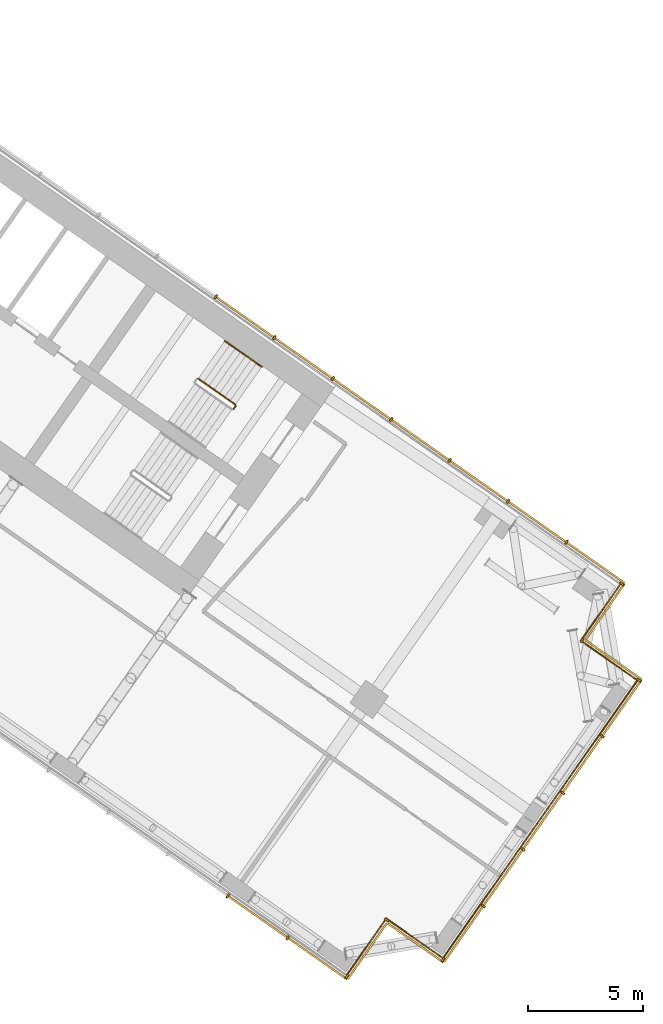
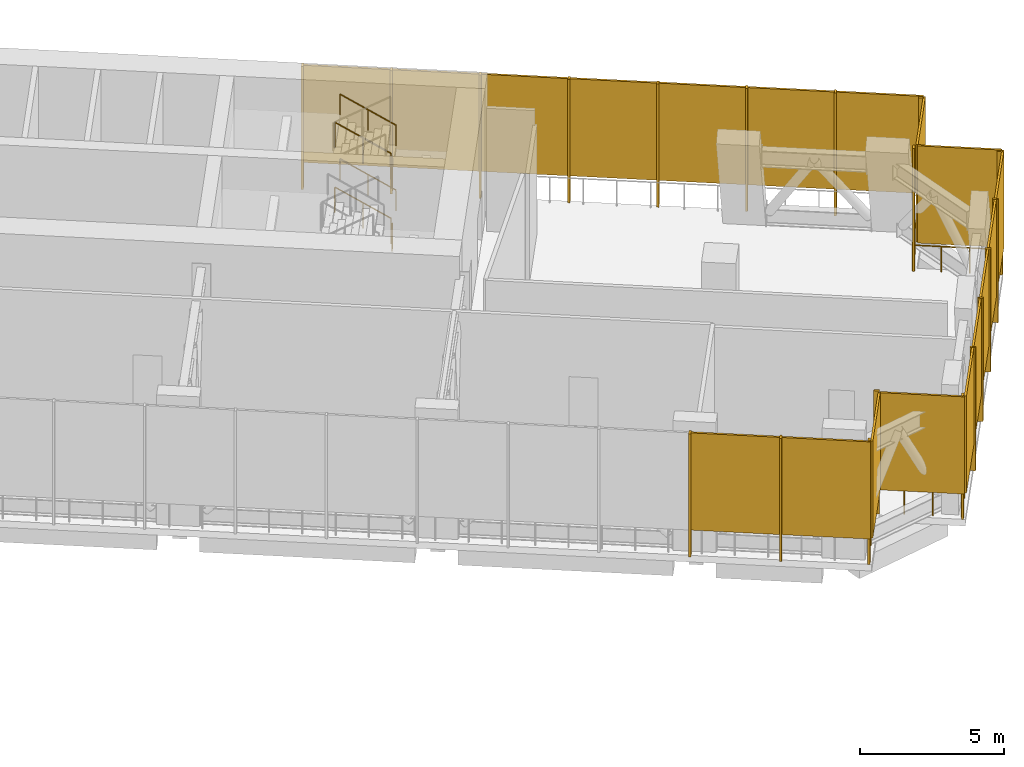
# One storey, part 24 of 24: 37 shading devices, 11 railings.
"""IFC4 building model written with IfcOpenShell, lengths in metres."""

from ifc_helpers import new_model, si_unit, direction, frame, origin, origin_2d, place, context, subcontext, project, spatial, rectangle, circle, extrude, material, layer, layer_set, type_object, element, save


model = new_model("IFC4")

# Units and contexts
model_context = context("Model", 3, precision=1e-05, world=origin(), true_north=direction((0.0, 1.0)))
body_context = subcontext(model_context, "Body", "Model", "MODEL_VIEW")
ifc_project = project(units=[si_unit("LENGTHUNIT", "METRE"), si_unit("AREAUNIT", "SQUARE_METRE"), si_unit("VOLUMEUNIT", "CUBIC_METRE"), si_unit("PLANEANGLEUNIT", "RADIAN"), si_unit("MASSUNIT", "GRAM", prefix="KILO")], contexts=[model_context])

# Site, building, storey
site_placement = place(None, origin())
site = spatial("IfcSite", under=ifc_project, at=site_placement, CompositionType="ELEMENT")
building_placement = place(site_placement, origin())
building = spatial("IfcBuilding", under=site, at=building_placement, Name="Tel Ilan Convention Tower", CompositionType="ELEMENT")
storey_placement = place(building_placement, frame((0.0, 0.0, 126.5)))
storey = spatial("IfcBuildingStorey", under=building, at=storey_placement, Name="L28", CompositionType="ELEMENT", Elevation=126.5)

# Shading devices
ifc_material_1 = material(Name="Perforated aluminium sheet, bronze anodised", Category="aluminium")
ifc_layer_1 = layer(ifc_material_1, 0.080078125)
ifc_layer_set_1 = layer_set([ifc_layer_1], Name="PERFORATED SCREEN 80")
shading_device_type_1 = type_object("IfcShadingDeviceType", Name="PERFORATED SCREEN 80", PredefinedType="USERDEFINED", material=ifc_layer_set_1)
for number, where, z_axis, x_axis, name in (
    (1, (24.653076171875, -30.080322265625, 1.099853515625), (0.0, 0.0, 1.0), (0.819152044289, -0.573576436351, 0.0), "SCREEN"),
    (2, (27.248046875, -31.8974609375, 1.099853515625), (0.0, 0.0, 1.0), (0.819152044289, -0.573576436351, 0.0), "SCREEN"),
):
    element("IfcShadingDevice", number, at=place(storey_placement, frame(where, z_axis=z_axis, x_axis=x_axis)), inside=storey, type_object=shading_device_type_1, Name=name, ObjectType="SCREEN", PredefinedType="USERDEFINED", context=body_context, shape_type="SweptSolid", body=[
        extrude(rectangle(XDim=3.10791015625, YDim=0.080078125, at=origin_2d()), origin(), (0.0, 0.0, 1.0), 4.1201171875),
    ])
for number, where, z_axis, x_axis, name in (
    (3, (29.406005859375, -31.577392578125, 1.099853515625), (0.0, 0.0, 1.0), (0.573576436351, 0.819152044289, 0.0), "SCREEN"),
    (4, (31.4951171875, -31.208984375, 1.099853515625), (0.0, 0.0, 1.0), (0.819152044289, -0.573576436351, 0.0), "SCREEN"),
    (5, (33.584228515625, -30.840576171875, 1.099853515625), (0.0, 0.0, 1.0), (0.573576436351, 0.819152044289, 0.0), "SCREEN"),
    (6, (35.304931640625, -28.383056640625, 1.099853515625), (0.0, 0.0, 1.0), (0.573576436351, 0.819152044289, 0.0), "SCREEN"),
    (7, (37.025634765625, -25.925537109375, 1.099853515625), (0.0, 0.0, 1.0), (0.573576436351, 0.819152044289, 0.0), "SCREEN"),
    (8, (38.746337890625, -23.46826171875, 1.099853515625), (0.0, 0.0, 1.0), (0.573576436351, 0.819152044289, 0.0), "SCREEN"),
    (9, (40.467041015625, -21.0107421875, 1.099853515625), (0.0, 0.0, 1.0), (0.573576436351, 0.819152044289, 0.0), "SCREEN"),
    (10, (40.098876953125, -18.921630859375, 1.099853515625), (0.0, 0.0, 1.0), (-0.819152044289, 0.573576436351, 0.0), "SCREEN"),
    (11, (39.73046875, -16.83251953125, 1.099853515625), (0.0, 0.0, 1.0), (0.573576436351, 0.819152044289, 0.0), "SCREEN"),
):
    element("IfcShadingDevice", number, at=place(storey_placement, frame(where, z_axis=z_axis, x_axis=x_axis)), inside=storey, type_object=shading_device_type_1, Name=name, ObjectType="SCREEN", PredefinedType="USERDEFINED", context=body_context, shape_type="SweptSolid", body=[
        extrude(rectangle(XDim=2.93994140625, YDim=0.080078125, at=origin_2d()), origin(), (0.0, 0.0, 1.0), 4.1201171875),
    ])
for number, where, z_axis, x_axis, name in (
    (12, (39.322265625, -14.715576171875, 1.099853515625), (0.0, 0.0, 1.0), (-0.819152044289, 0.573576436351, 0.0), "SCREEN"),
    (13, (36.785400390625, -12.939208984375, 1.099853515625), (0.0, 0.0, 1.0), (-0.819152044289, 0.573576436351, 0.0), "SCREEN"),
    (14, (34.24853515625, -11.162841796875, 1.099853515625), (0.0, 0.0, 1.0), (-0.819152044289, 0.573576436351, 0.0), "SCREEN"),
    (15, (31.71142578125, -9.386474609375, 1.099853515625), (0.0, 0.0, 1.0), (-0.819152044289, 0.573576436351, 0.0), "SCREEN"),
    (16, (29.174560546875, -7.610107421875, 1.099853515625), (0.0, 0.0, 1.0), (-0.819152044289, 0.573576436351, 0.0), "SCREEN"),
    (17, (26.6376953125, -5.833740234375, 1.099853515625), (0.0, 0.0, 1.0), (-0.819152044289, 0.573576436351, 0.0), "SCREEN"),
    (18, (24.100830078125, -4.057373046875, 1.099853515625), (0.0, 0.0, 1.0), (-0.819152044289, 0.573576436351, 0.0), "SCREEN"),
):
    element("IfcShadingDevice", number, at=place(storey_placement, frame(where, z_axis=z_axis, x_axis=x_axis)), inside=storey, type_object=shading_device_type_1, Name=name, ObjectType="SCREEN", PredefinedType="USERDEFINED", context=body_context, shape_type="SweptSolid", body=[
        extrude(rectangle(XDim=3.037109375, YDim=0.080078125, at=origin_2d()), origin(), (0.0, 0.0, 1.0), 4.1201171875),
    ])

# Railings
ifc_material_2 = material(Name="Stainless steel S316", Category="steel")
railing_type_1 = type_object("IfcRailingType", Name="REFUGE EDGE GUARD 1100", PredefinedType="GUARDRAIL", material=ifc_material_2)
railing_1_placement = place(storey_placement, frame((40.395751953125, -15.63818359375, 0.0)))
element("IfcRailing", 19, at=railing_1_placement, inside=storey, type_object=railing_type_1, Name="Refuge edge guard 22.R08", PredefinedType="GUARDRAIL", context=body_context, shape_type="SweptSolid", body=[
    extrude(circle(Radius=0.02490234375, at=origin_2d()), frame((0.0, 0.0, 1.0751953125), z_axis=(-0.573560650686, -0.819163097304, 0.0), x_axis=(0.819163097304, -0.573560650686, 0.0)), (0.0, 0.0, 1.0), 3.0),
    extrude(circle(Radius=0.02490234375, at=origin_2d()), origin(), (0.0, 0.0, 1.0), 1.050048828125),
    extrude(circle(Radius=0.02490234375, at=origin_2d()), frame((-0.573486328125, -0.819091796875, 0.0)), (0.0, 0.0, 1.0), 1.050048828125),
    extrude(circle(Radius=0.02490234375, at=origin_2d()), frame((-1.147216796875, -1.638427734375, 0.0)), (0.0, 0.0, 1.0), 1.050048828125),
    extrude(circle(Radius=0.02490234375, at=origin_2d()), frame((-1.720703125, -2.45751953125, 0.0)), (0.0, 0.0, 1.0), 1.050048828125),
])
railing_2_placement = place(storey_placement, frame((38.675048828125, -18.095703125, 0.0)))
element("IfcRailing", 20, at=railing_2_placement, inside=storey, type_object=railing_type_1, Name="Refuge edge guard 22.R09", PredefinedType="GUARDRAIL", context=body_context, shape_type="SweptSolid", body=[
    extrude(circle(Radius=0.02490234375, at=origin_2d()), frame((0.0, 0.0, 1.0751953125), z_axis=(0.819163097304, -0.573560650686, 0.0), x_axis=(0.573560650686, 0.819163097304, 0.0)), (0.0, 0.0, 1.0), 3.0),
    extrude(circle(Radius=0.02490234375, at=origin_2d()), origin(), (0.0, 0.0, 1.0), 1.050048828125),
    extrude(circle(Radius=0.02490234375, at=origin_2d()), frame((0.819091796875, -0.573486328125, 0.0)), (0.0, 0.0, 1.0), 1.050048828125),
    extrude(circle(Radius=0.02490234375, at=origin_2d()), frame((1.638427734375, -1.147216796875, 0.0)), (0.0, 0.0, 1.0), 1.050048828125),
    extrude(circle(Radius=0.02490234375, at=origin_2d()), frame((2.45751953125, -1.720703125, 0.0)), (0.0, 0.0, 1.0), 1.050048828125),
])
railing_3_placement = place(storey_placement, frame((41.132568359375, -19.81640625, 0.0)))
element("IfcRailing", 21, at=railing_3_placement, inside=storey, type_object=railing_type_1, Name="Refuge edge guard 22.R10", PredefinedType="GUARDRAIL", context=body_context, shape_type="SweptSolid", body=[
    extrude(circle(Radius=0.02490234375, at=origin_2d()), frame((0.0, 0.0, 1.0751953125), z_axis=(-0.573581443287, -0.819148538372, 0.0), x_axis=(0.819148538372, -0.573581443287, 0.0)), (0.0, 0.0, 1.0), 14.719970703125),
    extrude(circle(Radius=0.02490234375, at=origin_2d()), origin(), (0.0, 0.0, 1.0), 1.050048828125),
    extrude(circle(Radius=0.02490234375, at=origin_2d()), frame((-0.6494140625, -0.927490234375, 0.0)), (0.0, 0.0, 1.0), 1.050048828125),
    extrude(circle(Radius=0.02490234375, at=origin_2d()), frame((-1.298828125, -1.85498046875, 0.0)), (0.0, 0.0, 1.0), 1.050048828125),
    extrude(circle(Radius=0.02490234375, at=origin_2d()), frame((-1.948486328125, -2.782470703125, 0.0)), (0.0, 0.0, 1.0), 1.050048828125),
    extrude(circle(Radius=0.02490234375, at=origin_2d()), frame((-2.597900390625, -3.710205078125, 0.0)), (0.0, 0.0, 1.0), 1.050048828125),
    extrude(circle(Radius=0.02490234375, at=origin_2d()), frame((-3.247314453125, -4.6376953125, 0.0)), (0.0, 0.0, 1.0), 1.050048828125),
    extrude(circle(Radius=0.02490234375, at=origin_2d()), frame((-3.896728515625, -5.565185546875, 0.0)), (0.0, 0.0, 1.0), 1.050048828125),
    extrude(circle(Radius=0.02490234375, at=origin_2d()), frame((-4.54638671875, -6.49267578125, 0.0)), (0.0, 0.0, 1.0), 1.050048828125),
    extrude(circle(Radius=0.02490234375, at=origin_2d()), frame((-5.19580078125, -7.420166015625, 0.0)), (0.0, 0.0, 1.0), 1.050048828125),
    extrude(circle(Radius=0.02490234375, at=origin_2d()), frame((-5.84521484375, -8.34765625, 0.0)), (0.0, 0.0, 1.0), 1.050048828125),
    extrude(circle(Radius=0.02490234375, at=origin_2d()), frame((-6.49462890625, -9.275390625, 0.0)), (0.0, 0.0, 1.0), 1.050048828125),
    extrude(circle(Radius=0.02490234375, at=origin_2d()), frame((-7.144287109375, -10.202880859375, 0.0)), (0.0, 0.0, 1.0), 1.050048828125),
    extrude(circle(Radius=0.02490234375, at=origin_2d()), frame((-7.793701171875, -11.13037109375, 0.0)), (0.0, 0.0, 1.0), 1.050048828125),
    extrude(circle(Radius=0.02490234375, at=origin_2d()), frame((-8.443115234375, -12.057861328125, 0.0)), (0.0, 0.0, 1.0), 1.050048828125),
])
railing_4_placement = place(storey_placement, frame((32.689453125, -31.874267578125, 0.0)))
element("IfcRailing", 22, at=railing_4_placement, inside=storey, type_object=railing_type_1, Name="Refuge edge guard 22.R11", PredefinedType="GUARDRAIL", context=body_context, shape_type="SweptSolid", body=[
    extrude(circle(Radius=0.02490234375, at=origin_2d()), frame((0.0, 0.0, 1.0751953125), z_axis=(-0.819163097304, 0.573560650686, 0.0), x_axis=(-0.573560650686, -0.819163097304, 0.0)), (0.0, 0.0, 1.0), 3.0),
    extrude(circle(Radius=0.02490234375, at=origin_2d()), origin(), (0.0, 0.0, 1.0), 1.050048828125),
    extrude(circle(Radius=0.02490234375, at=origin_2d()), frame((-0.819091796875, 0.573486328125, 0.0)), (0.0, 0.0, 1.0), 1.050048828125),
    extrude(circle(Radius=0.02490234375, at=origin_2d()), frame((-1.638427734375, 1.147216796875, 0.0)), (0.0, 0.0, 1.0), 1.050048828125),
    extrude(circle(Radius=0.02490234375, at=origin_2d()), frame((-2.45751953125, 1.720703125, 0.0)), (0.0, 0.0, 1.0), 1.050048828125),
])
railing_5_placement = place(storey_placement, frame((30.23193359375, -30.153564453125, 0.0)))
element("IfcRailing", 23, at=railing_5_placement, inside=storey, type_object=railing_type_1, Name="Refuge edge guard 22.R12", PredefinedType="GUARDRAIL", context=body_context, shape_type="SweptSolid", body=[
    extrude(circle(Radius=0.02490234375, at=origin_2d()), frame((0.0, 0.0, 1.0751953125), z_axis=(-0.573560650686, -0.819163097304, 0.0), x_axis=(0.819163097304, -0.573560650686, 0.0)), (0.0, 0.0, 1.0), 3.0),
    extrude(circle(Radius=0.02490234375, at=origin_2d()), origin(), (0.0, 0.0, 1.0), 1.050048828125),
    extrude(circle(Radius=0.02490234375, at=origin_2d()), frame((-0.573486328125, -0.819091796875, 0.0)), (0.0, 0.0, 1.0), 1.050048828125),
    extrude(circle(Radius=0.02490234375, at=origin_2d()), frame((-1.147216796875, -1.638427734375, 0.0)), (0.0, 0.0, 1.0), 1.050048828125),
    extrude(circle(Radius=0.02490234375, at=origin_2d()), frame((-1.720703125, -2.45751953125, 0.0)), (0.0, 0.0, 1.0), 1.050048828125),
])

# Shading devices
ifc_material_3 = material(Name="Perforated aluminium sheet, bronze anodised", Category="aluminium")
ifc_layer_2 = layer(ifc_material_3, 0.080078125)
ifc_layer_set_2 = layer_set([ifc_layer_2], Name="SCREEN CORNER CLOSURE 80x200")
shading_device_type_2 = type_object("IfcShadingDeviceType", Name="SCREEN CORNER CLOSURE 80x200", PredefinedType="USERDEFINED", material=ifc_layer_set_2)
for number, where, z_axis, x_axis, name in (
    (24, (28.52099609375, -32.666748046875, 0.0), (0.0, 0.0, 1.0), (0.819152044289, -0.573576436351, 0.0), "SCREEN"),
    (25, (30.241943359375, -30.209228515625, 0.0), (0.0, 0.0, 1.0), (0.573576436351, 0.819152044289, 0.0), "SCREEN"),
    (26, (32.69921875, -31.929931640625, 0.0), (0.0, 0.0, 1.0), (0.819152044289, -0.573576436351, 0.0), "SCREEN"),
    (27, (41.188232421875, -19.806640625, 0.0), (0.0, 0.0, 1.0), (0.573576436351, 0.819152044289, 0.0), "SCREEN"),
    (28, (38.730712890625, -18.0859375, 0.0), (0.0, 0.0, 1.0), (-0.819152044289, 0.573576436351, 0.0), "SCREEN"),
    (29, (40.451416015625, -15.62841796875, 0.0), (0.0, 0.0, 1.0), (0.573576436351, 0.819152044289, 0.0), "SCREEN"),
):
    element("IfcShadingDevice", number, at=place(storey_placement, frame(where, z_axis=z_axis, x_axis=x_axis)), inside=storey, type_object=shading_device_type_2, Name=name, ObjectType="SCREEN", PredefinedType="USERDEFINED", context=body_context, shape_type="SweptSolid", body=[
        extrude(rectangle(XDim=0.080078125, YDim=0.199951171875, at=origin_2d()), origin(), (0.0, 0.0, 1.0), 5.219970703125),
    ])
ifc_material_4 = material(Name="Aluminium, bronze anodised", Category="aluminium")
ifc_layer_3 = layer(ifc_material_4, 0.080078125)
ifc_layer_set_3 = layer_set([ifc_layer_3], Name="SCREEN POST 80x200")
shading_device_type_3 = type_object("IfcShadingDeviceType", Name="SCREEN POST 80x200", PredefinedType="USERDEFINED", material=ifc_layer_set_3)
for number, where, z_axis, x_axis, name in (
    (30, (23.35546875, -29.171875, 0.0), (0.0, 0.0, 1.0), (0.819152044289, -0.573576436351, 0.0), "Screen post"),
    (31, (25.95068359375, -30.989013671875, 0.0), (0.0, 0.0, 1.0), (0.819152044289, -0.573576436351, 0.0), "Screen post"),
    (32, (34.444580078125, -29.61181640625, 0.0), (0.0, 0.0, 1.0), (0.573576436351, 0.819152044289, 0.0), "Screen post"),
    (33, (36.165283203125, -27.154296875, 0.0), (0.0, 0.0, 1.0), (0.573576436351, 0.819152044289, 0.0), "Screen post"),
    (34, (37.885986328125, -24.697021484375, 0.0), (0.0, 0.0, 1.0), (0.573576436351, 0.819152044289, 0.0), "Screen post"),
    (35, (39.606689453125, -22.239501953125, 0.0), (0.0, 0.0, 1.0), (0.573576436351, 0.819152044289, 0.0), "Screen post"),
    (36, (38.053955078125, -13.827392578125, 0.0), (0.0, 0.0, 1.0), (-0.819152044289, 0.573576436351, 0.0), "Screen post"),
    (37, (35.516845703125, -12.051025390625, 0.0), (0.0, 0.0, 1.0), (-0.819152044289, 0.573576436351, 0.0), "Screen post"),
    (38, (32.97998046875, -10.274658203125, 0.0), (0.0, 0.0, 1.0), (-0.819152044289, 0.573576436351, 0.0), "Screen post"),
    (39, (30.443115234375, -8.498291015625, 0.0), (0.0, 0.0, 1.0), (-0.819152044289, 0.573576436351, 0.0), "Screen post"),
    (40, (27.90625, -6.721923828125, 0.0), (0.0, 0.0, 1.0), (-0.819152044289, 0.573576436351, 0.0), "Screen post"),
    (41, (25.369140625, -4.945556640625, 0.0), (0.0, 0.0, 1.0), (-0.819152044289, 0.573576436351, 0.0), "Screen post"),
    (42, (22.832275390625, -3.169189453125, 0.0), (0.0, 0.0, 1.0), (-0.819152044289, 0.573576436351, 0.0), "Screen post"),
):
    element("IfcShadingDevice", number, at=place(storey_placement, frame(where, z_axis=z_axis, x_axis=x_axis)), inside=storey, type_object=shading_device_type_3, Name=name, ObjectType="SCREEN POST", PredefinedType="USERDEFINED", context=body_context, shape_type="SweptSolid", body=[
        extrude(rectangle(XDim=0.080078125, YDim=0.199951171875, at=origin_2d()), origin(), (0.0, 0.0, 1.0), 5.219970703125),
    ])

# Railings
ifc_material_5 = material(Name="Stainless Steel Grade 316", Category="steel")
railing_type_2 = type_object("IfcRailingType", Name="Stainless Steel Stair Guard 1100 mm", PredefinedType="GUARDRAIL", material=ifc_material_5)
railing_6_placement = place(storey_placement, frame((23.6787109375, -7.8515625, 0.171875)))
element("IfcRailing", 43, at=railing_6_placement, inside=storey, type_object=railing_type_2, Name="L28 S3 stair guard 1", PredefinedType="GUARDRAIL", context=body_context, shape_type="SweptSolid", body=[
    extrude(circle(Radius=0.02392578125, at=origin_2d()), frame((0.0, 0.0, 1.076171875), z_axis=(-0.698094737943, 0.488857400886, 0.523146421621), x_axis=(-0.573612813533, -0.819126571508, 0.0)), (0.0, 0.0, 1.0), 2.2998046875),
    extrude(circle(Radius=0.02099609375, at=origin_2d()), origin(), (0.0, 0.0, 1.0), 1.052001953125),
    extrude(circle(Radius=0.02099609375, at=origin_2d()), frame((-0.802734375, 0.56201171875, 0.6015625)), (0.0, 0.0, 1.0), 1.052001953125),
    extrude(circle(Radius=0.02099609375, at=origin_2d()), frame((-1.60546875, 1.124267578125, 1.203125)), (0.0, 0.0, 1.0), 1.052001953125),
])
railing_7_placement = place(storey_placement, frame((23.691162109375, -7.921142578125, 2.75)))
element("IfcRailing", 44, at=railing_7_placement, inside=storey, type_object=railing_type_2, Name="L28 S3 stair guard 4", PredefinedType="GUARDRAIL", context=body_context, shape_type="SweptSolid", body=[
    extrude(circle(Radius=0.02392578125, at=origin_2d()), frame((0.0, 0.0, 1.076171875), z_axis=(-0.574444878118, -0.818543268254, 0.0), x_axis=(0.818543268254, -0.574444878118, 0.0)), (0.0, 0.0, 1.0), 0.150146484375),
    extrude(circle(Radius=0.02099609375, at=origin_2d()), origin(), (0.0, 0.0, 1.0), 1.052001953125),
    extrude(circle(Radius=0.02099609375, at=origin_2d()), frame((-0.086181640625, -0.122802734375, 0.0)), (0.0, 0.0, 1.0), 1.052001953125),
])
railing_8_placement = place(storey_placement, frame((23.6787109375, -7.8515625, 2.921875)))
element("IfcRailing", 45, at=railing_8_placement, inside=storey, type_object=railing_type_2, Name="L28 S3 stair guard 5", PredefinedType="GUARDRAIL", context=body_context, shape_type="SweptSolid", body=[
    extrude(circle(Radius=0.02392578125, at=origin_2d()), frame((0.0, 0.0, 1.076171875), z_axis=(-0.698094737943, 0.488857400886, 0.523146421621), x_axis=(-0.573612813533, -0.819126571508, 0.0)), (0.0, 0.0, 1.0), 2.2998046875),
    extrude(circle(Radius=0.02099609375, at=origin_2d()), origin(), (0.0, 0.0, 1.0), 1.052001953125),
    extrude(circle(Radius=0.02099609375, at=origin_2d()), frame((-0.802734375, 0.56201171875, 0.6015625)), (0.0, 0.0, 1.0), 1.052001953125),
    extrude(circle(Radius=0.02099609375, at=origin_2d()), frame((-1.60546875, 1.124267578125, 1.203125)), (0.0, 0.0, 1.0), 1.052001953125),
])
railing_9_placement = place(storey_placement, frame((23.691162109375, -7.921142578125, 0.0)))
element("IfcRailing", 46, at=railing_9_placement, inside=storey, type_object=railing_type_2, Name="L28 S3 stair guard 8", PredefinedType="GUARDRAIL", context=body_context, shape_type="SweptSolid", body=[
    extrude(circle(Radius=0.02392578125, at=origin_2d()), frame((0.0, 0.0, 1.076171875), z_axis=(-0.574444878118, -0.818543268254, 0.0), x_axis=(0.818543268254, -0.574444878118, 0.0)), (0.0, 0.0, 1.0), 0.150146484375),
    extrude(circle(Radius=0.02099609375, at=origin_2d()), origin(), (0.0, 0.0, 1.0), 1.052001953125),
    extrude(circle(Radius=0.02099609375, at=origin_2d()), frame((-0.086181640625, -0.122802734375, 0.0)), (0.0, 0.0, 1.0), 1.052001953125),
])
ifc_material_6 = material(Name="Stainless Steel Grade 316", Category="steel")
railing_type_3 = type_object("IfcRailingType", Name="Stainless Steel Stair Handrail 900 mm", PredefinedType="HANDRAIL", material=ifc_material_6)
for number, where, name in (
    (47, (24.825927734375, -6.213134765625, 0.171875), "L28 S3 stair handrail 1"),
    (48, (24.825927734375, -6.213134765625, 2.921875), "L28 S3 stair handrail 3"),
):
    element("IfcRailing", number, at=place(storey_placement, frame(where)), inside=storey, type_object=railing_type_3, Name=name, PredefinedType="HANDRAIL", context=body_context, shape_type="SweptSolid", body=[
        extrude(circle(Radius=0.02392578125, at=origin_2d()), frame((0.0, 0.0, 0.8759765625), z_axis=(-0.698130965226, 0.488776606433, 0.523173570048), x_axis=(-0.573529226717, -0.819185098803, 0.0)), (0.0, 0.0, 1.0), 2.299560546875),
        extrude(circle(Radius=0.02099609375, at=origin_2d()), origin(), (0.0, 0.0, 1.0), 0.851806640625),
        extrude(circle(Radius=0.02099609375, at=origin_2d()), frame((-0.802734375, 0.56201171875, 0.6015625)), (0.0, 0.0, 1.0), 0.851806640625),
        extrude(circle(Radius=0.02099609375, at=origin_2d()), frame((-1.60546875, 1.1240234375, 1.203125)), (0.0, 0.0, 1.0), 0.851806640625),
    ])

save(model, "model.ifc")
